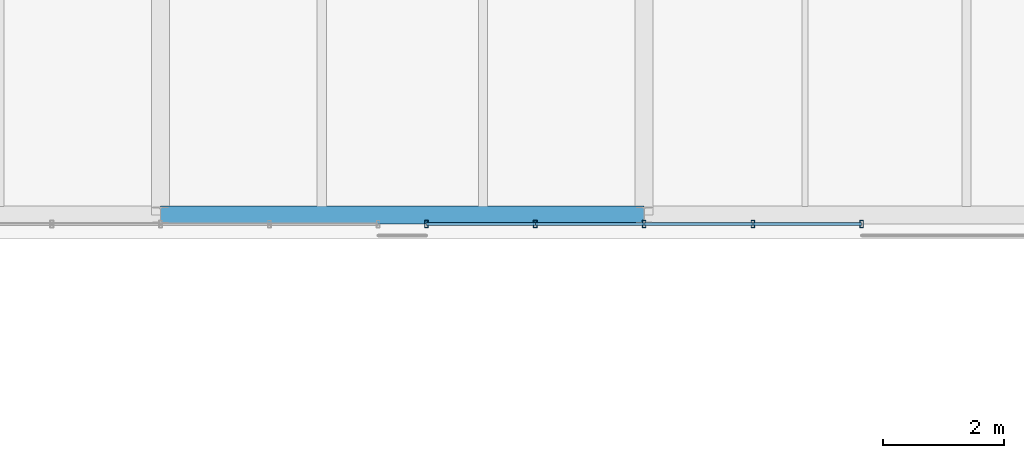
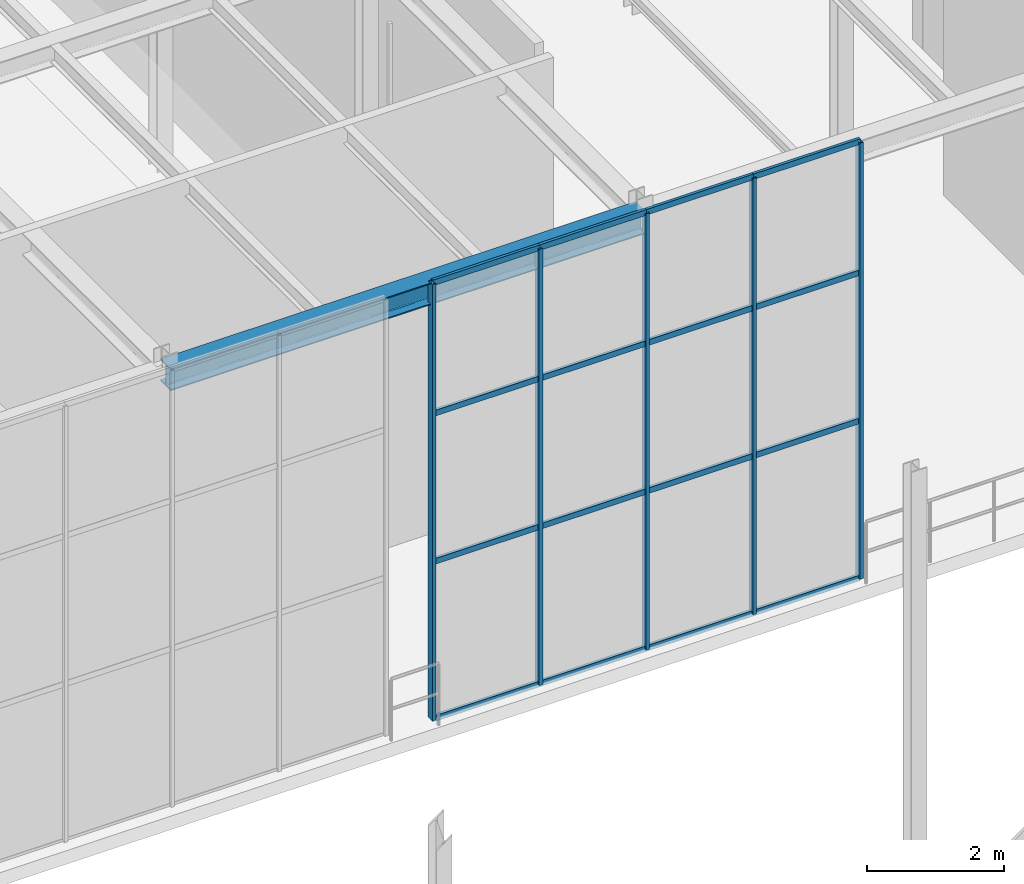
# One storey, part 62 of 138: 21 members, 1 beam, 1 element without a shape of its own.
"""IFC4 building model written with IfcOpenShell, lengths in metres."""

from ifc_helpers import new_model, si_unit, direction, frame, origin, origin_2d, place, context, subcontext, project, spatial, hollow_rectangle, i_section, extrude, material, material_profile, profile_set, type_object, element, aggregate, save


model = new_model("IFC4")

# Units and contexts
model_context = context("Model", 3, precision=1e-05, world=origin(), true_north=direction((0.0, 1.0)))
body_context = subcontext(model_context, "Body", "Model", "MODEL_VIEW")
ifc_project = project(units=[si_unit("LENGTHUNIT", "METRE"), si_unit("AREAUNIT", "SQUARE_METRE"), si_unit("VOLUMEUNIT", "CUBIC_METRE"), si_unit("PLANEANGLEUNIT", "RADIAN"), si_unit("MASSUNIT", "GRAM", prefix="KILO")], contexts=[model_context])

# Site, building, storey
site_placement = place(None, origin())
site = spatial("IfcSite", under=ifc_project, at=site_placement, CompositionType="ELEMENT")
building_placement = place(site_placement, origin())
building = spatial("IfcBuilding", under=site, at=building_placement, Name="Sundkrona Museum", CompositionType="ELEMENT")
storey_placement = place(building_placement, frame((0.0, 0.0, 9.60009765625)))
storey = spatial("IfcBuildingStorey", under=building, at=storey_placement, Name="L02", CompositionType="ELEMENT", Elevation=9.60009765625)

# Beam
ifc_material_1 = material(Name="Steel S355J2", Category="steel")
ifc_material_profile_1 = material_profile(ifc_material_1, i_section(OverallWidth=0.300048828125, OverallDepth=0.389892578125, WebThickness=0.010986328125, FlangeThickness=0.01904296875, FilletRadius=0.027099609375, at=origin_2d()), Name="HEA 400")
ifc_profile_set_1 = profile_set([ifc_material_profile_1], Name="Steel S355J2")
beam_type = type_object("IfcBeamType", Name="B-HEA400", PredefinedType="BEAM", material=ifc_profile_set_1)
beam_placement = place(storey_placement, frame((32.0, 94.0, 7.56494140625), z_axis=(1.0, 0.0, 0.0), x_axis=(0.0, 1.0, 0.0)))
element("IfcBeam", 1, at=beam_placement, inside=storey, type_object=beam_type, Name="L02 Girder X-1213", PredefinedType="BEAM", context=body_context, shape_type="SweptSolid", body=[
    extrude(i_section(OverallWidth=0.300048828125, OverallDepth=0.389892578125, WebThickness=0.010986328125, FlangeThickness=0.01904296875, FilletRadius=0.027099609375, at=origin_2d()), origin(), (0.0, 0.0, 1.0), 8.0),
])

# Curtain wall, members
ifc_material_2 = material(Name="Unitised Aluminium-Steel and Ceramic-Clad Curtain Walling", Category="steel")
curtain_wall_type = type_object("IfcCurtainWallType", Name="CW-CL-64x48", PredefinedType="NOTDEFINED", material=ifc_material_2)
curtain_wall_placement = place(storey_placement, origin())
curtain_wall = element("IfcCurtainWall", 2, at=curtain_wall_placement, inside=storey, type_object=curtain_wall_type, Name="L02 Curtain Wall CW-L02-135", PredefinedType="NOTDEFINED")
ifc_material_3 = material(Name="Aluminium EN AW-6060 T66", Category="aluminium")
ifc_material_profile_2 = material_profile(ifc_material_3, hollow_rectangle(XDim=0.06005859375, YDim=0.1201171875, WallThickness=0.0048828125, at=origin_2d()), Name="RHS 120x60x5.0")
ifc_profile_set_2 = profile_set([ifc_material_profile_2], Name="Aluminium EN AW-6060 T66")
member_type_1 = type_object("IfcMemberType", Name="ML-120", PredefinedType="MULLION", material=ifc_profile_set_2)
member_1_placement = place(storey_placement, frame((36.39990234375, 93.85009765625, -0.004150390625), z_axis=(0.0, 0.0, 1.0), x_axis=(1.0, 0.0, 0.0)))
member_1 = element("IfcMember", 3, at=member_1_placement, type_object=member_type_1, Name="CW-L02-135 Mullion 01", PredefinedType="MULLION", context=body_context, shape_type="SweptSolid", body=[
    extrude(hollow_rectangle(XDim=0.06005859375, YDim=0.1201171875, WallThickness=0.0048828125, at=origin_2d()), origin(), (0.0, 0.0, 1.0), 7.76806640625),
])
member_2_placement = place(storey_placement, frame((38.199951171875, 93.85009765625, -0.004150390625), z_axis=(0.0, 0.0, 1.0), x_axis=(1.0, 0.0, 0.0)))
member_2 = element("IfcMember", 4, at=member_2_placement, type_object=member_type_1, Name="CW-L02-135 Mullion 02", PredefinedType="MULLION", context=body_context, shape_type="SweptSolid", body=[
    extrude(hollow_rectangle(XDim=0.06005859375, YDim=0.1201171875, WallThickness=0.0048828125, at=origin_2d()), origin(), (0.0, 0.0, 1.0), 7.76806640625),
])
member_3_placement = place(storey_placement, frame((40.0, 93.85009765625, -0.004150390625), z_axis=(0.0, 0.0, 1.0), x_axis=(1.0, 0.0, 0.0)))
member_3 = element("IfcMember", 5, at=member_3_placement, type_object=member_type_1, Name="CW-L02-135 Mullion 03", PredefinedType="MULLION", context=body_context, shape_type="SweptSolid", body=[
    extrude(hollow_rectangle(XDim=0.06005859375, YDim=0.1201171875, WallThickness=0.0048828125, at=origin_2d()), origin(), (0.0, 0.0, 1.0), 7.76806640625),
])
member_4_placement = place(storey_placement, frame((41.800048828125, 93.85009765625, -0.004150390625), z_axis=(0.0, 0.0, 1.0), x_axis=(1.0, 0.0, 0.0)))
member_4 = element("IfcMember", 6, at=member_4_placement, type_object=member_type_1, Name="CW-L02-135 Mullion 04", PredefinedType="MULLION", context=body_context, shape_type="SweptSolid", body=[
    extrude(hollow_rectangle(XDim=0.06005859375, YDim=0.1201171875, WallThickness=0.0048828125, at=origin_2d()), origin(), (0.0, 0.0, 1.0), 7.76806640625),
])
member_5_placement = place(storey_placement, frame((43.60009765625, 93.85009765625, -0.004150390625), z_axis=(0.0, 0.0, 1.0), x_axis=(1.0, 0.0, 0.0)))
member_5 = element("IfcMember", 7, at=member_5_placement, type_object=member_type_1, Name="CW-L02-135 Mullion 05", PredefinedType="MULLION", context=body_context, shape_type="SweptSolid", body=[
    extrude(hollow_rectangle(XDim=0.06005859375, YDim=0.1201171875, WallThickness=0.0048828125, at=origin_2d()), origin(), (0.0, 0.0, 1.0), 7.76806640625),
])
ifc_material_profile_3 = material_profile(ifc_material_3, hollow_rectangle(XDim=0.050048828125, YDim=0.10009765625, WallThickness=0.0048828125, at=origin_2d()), Name="RHS 100x50x5.0")
ifc_profile_set_3 = profile_set([ifc_material_profile_3], Name="Aluminium EN AW-6060 T66")
member_type_2 = type_object("IfcMemberType", Name="TR-100", PredefinedType="USERDEFINED", material=ifc_profile_set_3)
member_6_placement = place(storey_placement, frame((36.39990234375, 93.85009765625, -0.004150390625), z_axis=(1.0, 0.0, 0.0), x_axis=(0.0, 1.0, 0.0)))
member_6 = element("IfcMember", 8, at=member_6_placement, type_object=member_type_2, Name="CW-L02-135 Transom 01", ObjectType="TRANSOM", PredefinedType="USERDEFINED", context=body_context, shape_type="SweptSolid", body=[
    extrude(hollow_rectangle(XDim=0.050048828125, YDim=0.10009765625, WallThickness=0.0048828125, at=origin_2d()), origin(), (0.0, 0.0, 1.0), 1.800048828125),
])
member_7_placement = place(storey_placement, frame((36.39990234375, 93.85009765625, 2.7939453125), z_axis=(1.0, 0.0, 0.0), x_axis=(0.0, 1.0, 0.0)))
member_7 = element("IfcMember", 9, at=member_7_placement, type_object=member_type_2, Name="CW-L02-135 Transom 02", ObjectType="TRANSOM", PredefinedType="USERDEFINED", context=body_context, shape_type="SweptSolid", body=[
    extrude(hollow_rectangle(XDim=0.050048828125, YDim=0.10009765625, WallThickness=0.0048828125, at=origin_2d()), origin(), (0.0, 0.0, 1.0), 1.800048828125),
])
member_8_placement = place(storey_placement, frame((36.39990234375, 93.85009765625, 5.431884765625), z_axis=(1.0, 0.0, 0.0), x_axis=(0.0, 1.0, 0.0)))
member_8 = element("IfcMember", 10, at=member_8_placement, type_object=member_type_2, Name="CW-L02-135 Transom 03", ObjectType="TRANSOM", PredefinedType="USERDEFINED", context=body_context, shape_type="SweptSolid", body=[
    extrude(hollow_rectangle(XDim=0.050048828125, YDim=0.10009765625, WallThickness=0.0048828125, at=origin_2d()), origin(), (0.0, 0.0, 1.0), 1.800048828125),
])
member_9_placement = place(storey_placement, frame((36.39990234375, 93.85009765625, 7.763916015625), z_axis=(1.0, 0.0, 0.0), x_axis=(0.0, 1.0, 0.0)))
member_9 = element("IfcMember", 11, at=member_9_placement, type_object=member_type_2, Name="CW-L02-135 Transom 04", ObjectType="TRANSOM", PredefinedType="USERDEFINED", context=body_context, shape_type="SweptSolid", body=[
    extrude(hollow_rectangle(XDim=0.050048828125, YDim=0.10009765625, WallThickness=0.0048828125, at=origin_2d()), origin(), (0.0, 0.0, 1.0), 1.800048828125),
])
member_10_placement = place(storey_placement, frame((38.199951171875, 93.85009765625, -0.004150390625), z_axis=(1.0, 0.0, 0.0), x_axis=(0.0, 1.0, 0.0)))
member_10 = element("IfcMember", 12, at=member_10_placement, type_object=member_type_2, Name="CW-L02-135 Transom 05", ObjectType="TRANSOM", PredefinedType="USERDEFINED", context=body_context, shape_type="SweptSolid", body=[
    extrude(hollow_rectangle(XDim=0.050048828125, YDim=0.10009765625, WallThickness=0.0048828125, at=origin_2d()), origin(), (0.0, 0.0, 1.0), 1.800048828125),
])
member_11_placement = place(storey_placement, frame((38.199951171875, 93.85009765625, 2.7939453125), z_axis=(1.0, 0.0, 0.0), x_axis=(0.0, 1.0, 0.0)))
member_11 = element("IfcMember", 13, at=member_11_placement, type_object=member_type_2, Name="CW-L02-135 Transom 06", ObjectType="TRANSOM", PredefinedType="USERDEFINED", context=body_context, shape_type="SweptSolid", body=[
    extrude(hollow_rectangle(XDim=0.050048828125, YDim=0.10009765625, WallThickness=0.0048828125, at=origin_2d()), origin(), (0.0, 0.0, 1.0), 1.800048828125),
])
member_12_placement = place(storey_placement, frame((38.199951171875, 93.85009765625, 5.431884765625), z_axis=(1.0, 0.0, 0.0), x_axis=(0.0, 1.0, 0.0)))
member_12 = element("IfcMember", 14, at=member_12_placement, type_object=member_type_2, Name="CW-L02-135 Transom 07", ObjectType="TRANSOM", PredefinedType="USERDEFINED", context=body_context, shape_type="SweptSolid", body=[
    extrude(hollow_rectangle(XDim=0.050048828125, YDim=0.10009765625, WallThickness=0.0048828125, at=origin_2d()), origin(), (0.0, 0.0, 1.0), 1.800048828125),
])
member_13_placement = place(storey_placement, frame((38.199951171875, 93.85009765625, 7.763916015625), z_axis=(1.0, 0.0, 0.0), x_axis=(0.0, 1.0, 0.0)))
member_13 = element("IfcMember", 15, at=member_13_placement, type_object=member_type_2, Name="CW-L02-135 Transom 08", ObjectType="TRANSOM", PredefinedType="USERDEFINED", context=body_context, shape_type="SweptSolid", body=[
    extrude(hollow_rectangle(XDim=0.050048828125, YDim=0.10009765625, WallThickness=0.0048828125, at=origin_2d()), origin(), (0.0, 0.0, 1.0), 1.800048828125),
])
member_14_placement = place(storey_placement, frame((40.0, 93.85009765625, -0.004150390625), z_axis=(1.0, 0.0, 0.0), x_axis=(0.0, 1.0, 0.0)))
member_14 = element("IfcMember", 16, at=member_14_placement, type_object=member_type_2, Name="CW-L02-135 Transom 09", ObjectType="TRANSOM", PredefinedType="USERDEFINED", context=body_context, shape_type="SweptSolid", body=[
    extrude(hollow_rectangle(XDim=0.050048828125, YDim=0.10009765625, WallThickness=0.0048828125, at=origin_2d()), origin(), (0.0, 0.0, 1.0), 1.800048828125),
])
member_15_placement = place(storey_placement, frame((40.0, 93.85009765625, 2.7939453125), z_axis=(1.0, 0.0, 0.0), x_axis=(0.0, 1.0, 0.0)))
member_15 = element("IfcMember", 17, at=member_15_placement, type_object=member_type_2, Name="CW-L02-135 Transom 10", ObjectType="TRANSOM", PredefinedType="USERDEFINED", context=body_context, shape_type="SweptSolid", body=[
    extrude(hollow_rectangle(XDim=0.050048828125, YDim=0.10009765625, WallThickness=0.0048828125, at=origin_2d()), origin(), (0.0, 0.0, 1.0), 1.800048828125),
])
member_16_placement = place(storey_placement, frame((40.0, 93.85009765625, 5.431884765625), z_axis=(1.0, 0.0, 0.0), x_axis=(0.0, 1.0, 0.0)))
member_16 = element("IfcMember", 18, at=member_16_placement, type_object=member_type_2, Name="CW-L02-135 Transom 11", ObjectType="TRANSOM", PredefinedType="USERDEFINED", context=body_context, shape_type="SweptSolid", body=[
    extrude(hollow_rectangle(XDim=0.050048828125, YDim=0.10009765625, WallThickness=0.0048828125, at=origin_2d()), origin(), (0.0, 0.0, 1.0), 1.800048828125),
])
member_17_placement = place(storey_placement, frame((40.0, 93.85009765625, 7.763916015625), z_axis=(1.0, 0.0, 0.0), x_axis=(0.0, 1.0, 0.0)))
member_17 = element("IfcMember", 19, at=member_17_placement, type_object=member_type_2, Name="CW-L02-135 Transom 12", ObjectType="TRANSOM", PredefinedType="USERDEFINED", context=body_context, shape_type="SweptSolid", body=[
    extrude(hollow_rectangle(XDim=0.050048828125, YDim=0.10009765625, WallThickness=0.0048828125, at=origin_2d()), origin(), (0.0, 0.0, 1.0), 1.800048828125),
])
member_18_placement = place(storey_placement, frame((41.800048828125, 93.85009765625, -0.004150390625), z_axis=(1.0, 0.0, 0.0), x_axis=(0.0, 1.0, 0.0)))
member_18 = element("IfcMember", 20, at=member_18_placement, type_object=member_type_2, Name="CW-L02-135 Transom 13", ObjectType="TRANSOM", PredefinedType="USERDEFINED", context=body_context, shape_type="SweptSolid", body=[
    extrude(hollow_rectangle(XDim=0.050048828125, YDim=0.10009765625, WallThickness=0.0048828125, at=origin_2d()), origin(), (0.0, 0.0, 1.0), 1.800048828125),
])
member_19_placement = place(storey_placement, frame((41.800048828125, 93.85009765625, 2.7939453125), z_axis=(1.0, 0.0, 0.0), x_axis=(0.0, 1.0, 0.0)))
member_19 = element("IfcMember", 21, at=member_19_placement, type_object=member_type_2, Name="CW-L02-135 Transom 14", ObjectType="TRANSOM", PredefinedType="USERDEFINED", context=body_context, shape_type="SweptSolid", body=[
    extrude(hollow_rectangle(XDim=0.050048828125, YDim=0.10009765625, WallThickness=0.0048828125, at=origin_2d()), origin(), (0.0, 0.0, 1.0), 1.800048828125),
])
member_20_placement = place(storey_placement, frame((41.800048828125, 93.85009765625, 5.431884765625), z_axis=(1.0, 0.0, 0.0), x_axis=(0.0, 1.0, 0.0)))
member_20 = element("IfcMember", 22, at=member_20_placement, type_object=member_type_2, Name="CW-L02-135 Transom 15", ObjectType="TRANSOM", PredefinedType="USERDEFINED", context=body_context, shape_type="SweptSolid", body=[
    extrude(hollow_rectangle(XDim=0.050048828125, YDim=0.10009765625, WallThickness=0.0048828125, at=origin_2d()), origin(), (0.0, 0.0, 1.0), 1.800048828125),
])
member_21_placement = place(storey_placement, frame((41.800048828125, 93.85009765625, 7.763916015625), z_axis=(1.0, 0.0, 0.0), x_axis=(0.0, 1.0, 0.0)))
member_21 = element("IfcMember", 23, at=member_21_placement, type_object=member_type_2, Name="CW-L02-135 Transom 16", ObjectType="TRANSOM", PredefinedType="USERDEFINED", context=body_context, shape_type="SweptSolid", body=[
    extrude(hollow_rectangle(XDim=0.050048828125, YDim=0.10009765625, WallThickness=0.0048828125, at=origin_2d()), origin(), (0.0, 0.0, 1.0), 1.800048828125),
])
aggregate(curtain_wall, [member_1, member_2, member_3, member_4, member_5, member_6, member_7, member_8, member_9, member_10, member_11, member_12, member_13, member_14, member_15, member_16, member_17, member_18, member_19, member_20, member_21])

save(model, "model.ifc")
